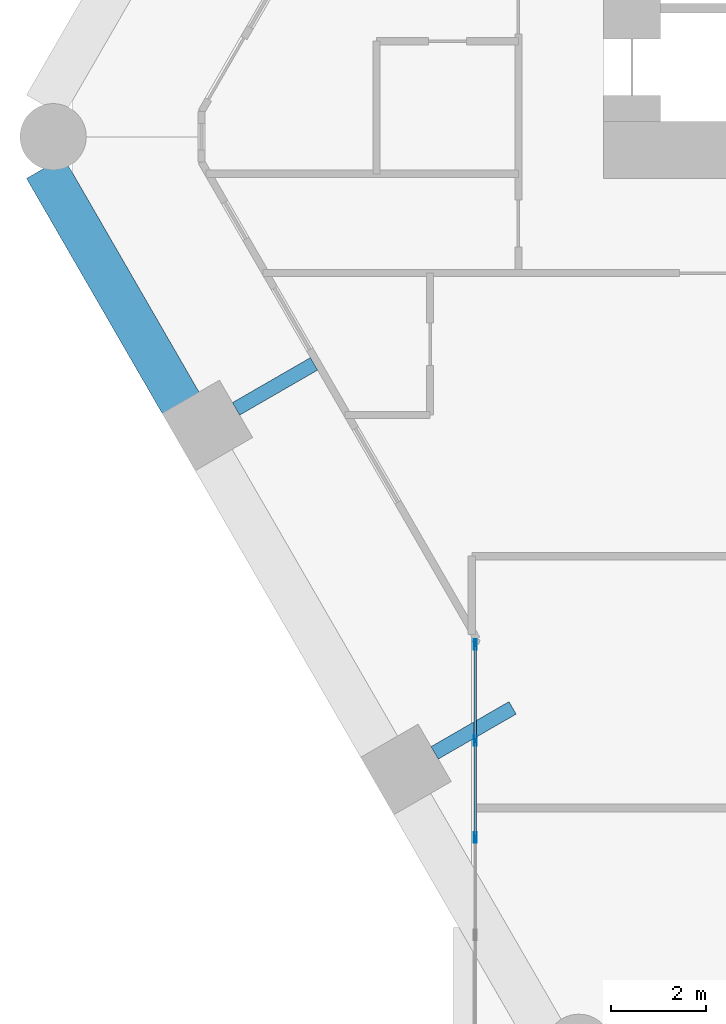
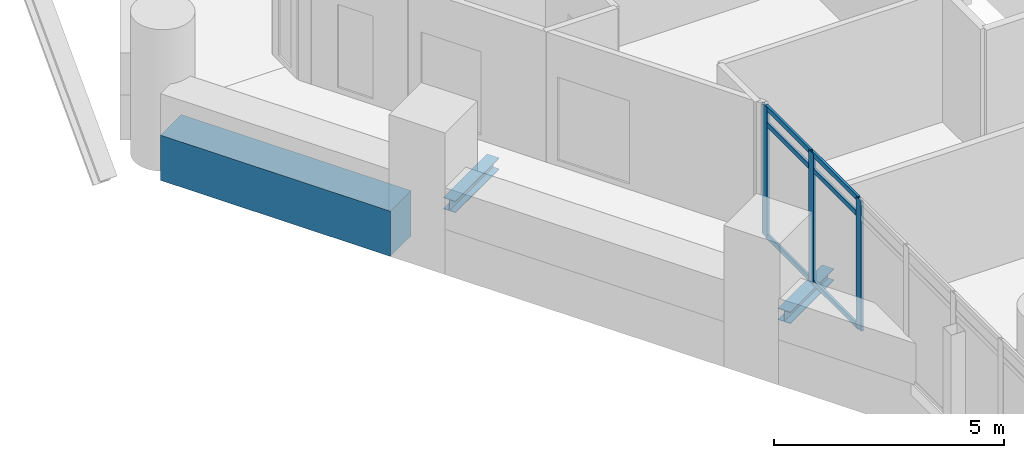
# One storey, part 11 of 38: 9 members, 3 beams, 1 element without a shape of its own.
"""IFC4 building model written with IfcOpenShell, lengths in metres."""

from ifc_helpers import new_model, si_unit, direction, frame, origin, origin_2d, place, context, subcontext, project, spatial, rectangle, hollow_rectangle, i_section, extrude, material, material_profile, profile_set, type_object, element, aggregate, save


model = new_model("IFC4")

# Units and contexts
model_context = context("Model", 3, precision=1e-05, world=origin(), true_north=direction((0.0, 1.0)))
body_context = subcontext(model_context, "Body", "Model", "MODEL_VIEW")
ifc_project = project(units=[si_unit("LENGTHUNIT", "METRE"), si_unit("AREAUNIT", "SQUARE_METRE"), si_unit("VOLUMEUNIT", "CUBIC_METRE"), si_unit("PLANEANGLEUNIT", "RADIAN"), si_unit("MASSUNIT", "GRAM", prefix="KILO")], contexts=[model_context])

# Site, building, storey
site_placement = place(None, origin())
site = spatial("IfcSite", under=ifc_project, at=site_placement, CompositionType="ELEMENT")
building_placement = place(site_placement, origin())
building = spatial("IfcBuilding", under=site, at=building_placement, Name="Ostrander Bayou Hotel Tower", CompositionType="ELEMENT")
storey_placement = place(building_placement, frame((0.0, 0.0, 65.5)))
storey = spatial("IfcBuildingStorey", under=building, at=storey_placement, Name="L16", CompositionType="ELEMENT", Elevation=65.5)

# Curtain wall, members
ifc_material_1 = material(Name="Aluminium and clear glass", Category="aluminium")
curtain_wall_type = type_object("IfcCurtainWallType", Name="CW-BAR glazed wall", PredefinedType="NOTDEFINED", material=ifc_material_1)
curtain_wall_placement = place(storey_placement, origin())
curtain_wall = element("IfcCurtainWall", 1, at=curtain_wall_placement, inside=storey, type_object=curtain_wall_type, Name="CW-BAR L16:SB1S:E", PredefinedType="NOTDEFINED")
ifc_material_2 = material(Name="Aluminium", Category="aluminium")
ifc_material_profile_1 = material_profile(ifc_material_2, hollow_rectangle(XDim=0.06005859375, YDim=0.219970703125, WallThickness=0.00390625, at=origin_2d()))
ifc_profile_set_1 = profile_set([ifc_material_profile_1], Name="Aluminium")
member_type_1 = type_object("IfcMemberType", Name="CW-BR mullion 60 x 220 mm", PredefinedType="MULLION", material=ifc_profile_set_1)
member_1_placement = place(storey_placement, frame((-14.712158203125, -11.547607421875, 0.0), z_axis=(0.0, 0.0, 1.0), x_axis=(1.0, 0.0, 0.0)))
member_1 = element("IfcMember", 2, at=member_1_placement, type_object=member_type_1, Name="CW-BAR mullion 1", PredefinedType="MULLION", context=body_context, shape_type="SweptSolid", body=[
    extrude(hollow_rectangle(XDim=0.06005859375, YDim=0.219970703125, WallThickness=0.00390625, at=origin_2d()), origin(), (0.0, 0.0, 1.0), 3.449951171875),
])
member_2_placement = place(storey_placement, frame((-14.712158203125, -13.571044921875, 0.0), z_axis=(0.0, 0.0, 1.0), x_axis=(1.0, 0.0, 0.0)))
member_2 = element("IfcMember", 3, at=member_2_placement, type_object=member_type_1, Name="CW-BAR mullion 2", PredefinedType="MULLION", context=body_context, shape_type="SweptSolid", body=[
    extrude(hollow_rectangle(XDim=0.06005859375, YDim=0.219970703125, WallThickness=0.00390625, at=origin_2d()), origin(), (0.0, 0.0, 1.0), 3.449951171875),
])
member_3_placement = place(storey_placement, frame((-14.712158203125, -15.62451171875, 0.0), z_axis=(0.0, 0.0, 1.0), x_axis=(1.0, 0.0, 0.0)))
member_3 = element("IfcMember", 4, at=member_3_placement, type_object=member_type_1, Name="CW-BAR mullion 3", PredefinedType="MULLION", context=body_context, shape_type="SweptSolid", body=[
    extrude(hollow_rectangle(XDim=0.06005859375, YDim=0.219970703125, WallThickness=0.00390625, at=origin_2d()), origin(), (0.0, 0.0, 1.0), 3.449951171875),
])
ifc_material_3 = material(Name="Aluminium", Category="aluminium")
ifc_material_profile_2 = material_profile(ifc_material_3, hollow_rectangle(XDim=0.06005859375, YDim=0.1298828125, WallThickness=0.00390625, at=origin_2d()))
ifc_profile_set_2 = profile_set([ifc_material_profile_2], Name="Aluminium")
member_type_2 = type_object("IfcMemberType", Name="CW-BR transom 60 x 130 mm", PredefinedType="USERDEFINED", material=ifc_profile_set_2)
member_4_placement = place(storey_placement, frame((-14.712158203125, -11.57763671875, 0.030029296875), z_axis=(0.0, -1.0, 0.0), x_axis=(1.0, 0.0, 0.0)))
member_4 = element("IfcMember", 5, at=member_4_placement, type_object=member_type_2, Name="CW-BAR transom 1.1", ObjectType="TRANSOM", PredefinedType="USERDEFINED", context=body_context, shape_type="SweptSolid", body=[
    extrude(hollow_rectangle(XDim=0.06005859375, YDim=0.1298828125, WallThickness=0.00390625, at=origin_2d()), origin(), (0.0, 0.0, 1.0), 1.96337890625),
])
member_5_placement = place(storey_placement, frame((-14.712158203125, -11.57763671875, 3.0), z_axis=(0.0, -1.0, 0.0), x_axis=(1.0, 0.0, 0.0)))
member_5 = element("IfcMember", 6, at=member_5_placement, type_object=member_type_2, Name="CW-BAR transom 1.2", ObjectType="TRANSOM", PredefinedType="USERDEFINED", context=body_context, shape_type="SweptSolid", body=[
    extrude(hollow_rectangle(XDim=0.06005859375, YDim=0.1298828125, WallThickness=0.00390625, at=origin_2d()), origin(), (0.0, 0.0, 1.0), 1.96337890625),
])
member_6_placement = place(storey_placement, frame((-14.712158203125, -11.57763671875, 3.419921875), z_axis=(0.0, -1.0, 0.0), x_axis=(1.0, 0.0, 0.0)))
member_6 = element("IfcMember", 7, at=member_6_placement, type_object=member_type_2, Name="CW-BAR transom 1.3", ObjectType="TRANSOM", PredefinedType="USERDEFINED", context=body_context, shape_type="SweptSolid", body=[
    extrude(hollow_rectangle(XDim=0.06005859375, YDim=0.1298828125, WallThickness=0.00390625, at=origin_2d()), origin(), (0.0, 0.0, 1.0), 1.96337890625),
])
member_7_placement = place(storey_placement, frame((-14.712158203125, -13.60107421875, 0.030029296875), z_axis=(0.0, -1.0, 0.0), x_axis=(1.0, 0.0, 0.0)))
member_7 = element("IfcMember", 8, at=member_7_placement, type_object=member_type_2, Name="CW-BAR transom 2.1", ObjectType="TRANSOM", PredefinedType="USERDEFINED", context=body_context, shape_type="SweptSolid", body=[
    extrude(hollow_rectangle(XDim=0.06005859375, YDim=0.1298828125, WallThickness=0.00390625, at=origin_2d()), origin(), (0.0, 0.0, 1.0), 1.993408203125),
])
member_8_placement = place(storey_placement, frame((-14.712158203125, -13.60107421875, 3.0), z_axis=(0.0, -1.0, 0.0), x_axis=(1.0, 0.0, 0.0)))
member_8 = element("IfcMember", 9, at=member_8_placement, type_object=member_type_2, Name="CW-BAR transom 2.2", ObjectType="TRANSOM", PredefinedType="USERDEFINED", context=body_context, shape_type="SweptSolid", body=[
    extrude(hollow_rectangle(XDim=0.06005859375, YDim=0.1298828125, WallThickness=0.00390625, at=origin_2d()), origin(), (0.0, 0.0, 1.0), 1.993408203125),
])
member_9_placement = place(storey_placement, frame((-14.712158203125, -13.60107421875, 3.419921875), z_axis=(0.0, -1.0, 0.0), x_axis=(1.0, 0.0, 0.0)))
member_9 = element("IfcMember", 10, at=member_9_placement, type_object=member_type_2, Name="CW-BAR transom 2.3", ObjectType="TRANSOM", PredefinedType="USERDEFINED", context=body_context, shape_type="SweptSolid", body=[
    extrude(hollow_rectangle(XDim=0.06005859375, YDim=0.1298828125, WallThickness=0.00390625, at=origin_2d()), origin(), (0.0, 0.0, 1.0), 1.993408203125),
])
aggregate(curtain_wall, [member_1, member_2, member_3, member_4, member_5, member_6, member_7, member_8, member_9])

# Beams
ifc_material_4 = material(Name="Steel ASTM A992", Category="steel")
ifc_material_profile_3 = material_profile(ifc_material_4, i_section(OverallWidth=0.3046875, OverallDepth=0.307861328125, WebThickness=0.010009765625, FlangeThickness=0.015380859375, at=origin_2d()))
ifc_profile_set_3 = profile_set([ifc_material_profile_3], Name="Steel ASTM A992")
beam_type_1 = type_object("IfcBeamType", Name="LB1 loggia bracket W12x65", PredefinedType="BEAM", material=ifc_profile_set_3)
beam_1_placement = place(storey_placement, frame((-19.7646484375, -6.566650390625, -0.453857421875), z_axis=(0.866044365799, 0.499967155389, 0.0), x_axis=(-0.499967155389, 0.866044365799, 0.0)))
element("IfcBeam", 11, at=beam_1_placement, inside=storey, type_object=beam_type_1, Name="LB1 L16 SW1", PredefinedType="BEAM", context=body_context, shape_type="SweptSolid", body=[
    extrude(i_section(OverallWidth=0.3046875, OverallDepth=0.307861328125, WebThickness=0.010009765625, FlangeThickness=0.015380859375, at=origin_2d()), origin(), (0.0, 0.0, 1.0), 1.900146484375),
])
beam_2_placement = place(storey_placement, frame((-15.569091796875, -13.833251953125, -0.453857421875), z_axis=(0.86601224135, 0.500022797313, 0.0), x_axis=(-0.500022797313, 0.86601224135, 0.0)))
element("IfcBeam", 12, at=beam_2_placement, inside=storey, type_object=beam_type_1, Name="LB1 L16 SW2", PredefinedType="BEAM", context=body_context, shape_type="SweptSolid", body=[
    extrude(i_section(OverallWidth=0.3046875, OverallDepth=0.307861328125, WebThickness=0.010009765625, FlangeThickness=0.015380859375, at=origin_2d()), origin(), (0.0, 0.0, 1.0), 1.89990234375),
])
ifc_material_5 = material(Name="Concrete f'c 70 MPa", Category="concrete")
ifc_material_profile_4 = material_profile(ifc_material_5, rectangle(XDim=0.89990234375, YDim=1.199951171875, at=origin_2d()))
ifc_profile_set_4 = profile_set([ifc_material_profile_4], Name="Concrete f'c 70 MPa")
beam_type_2 = type_object("IfcBeamType", Name="SP1 spandrel beam 900 x 1200 mm f'c 70 MPa", PredefinedType="SPANDREL", material=ifc_profile_set_4)
beam_3_placement = place(storey_placement, frame((-23.8017578125, -1.47412109375, -0.60009765625), z_axis=(0.499996461177, -0.866027446915, 0.0), x_axis=(0.866027446915, 0.499996461177, 0.0)))
element("IfcBeam", 13, at=beam_3_placement, inside=storey, type_object=beam_type_2, Name="SP1 L16 SW-1", PredefinedType="SPANDREL", context=body_context, shape_type="SweptSolid", body=[
    extrude(rectangle(XDim=0.89990234375, YDim=1.199951171875, at=origin_2d()), origin(), (0.0, 0.0, 1.0), 5.7587890625),
])

save(model, "model.ifc")
